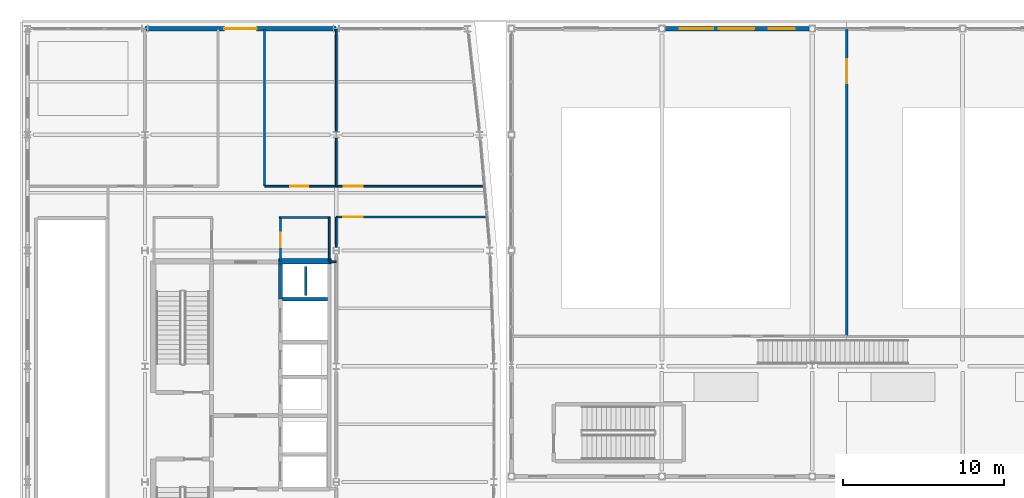
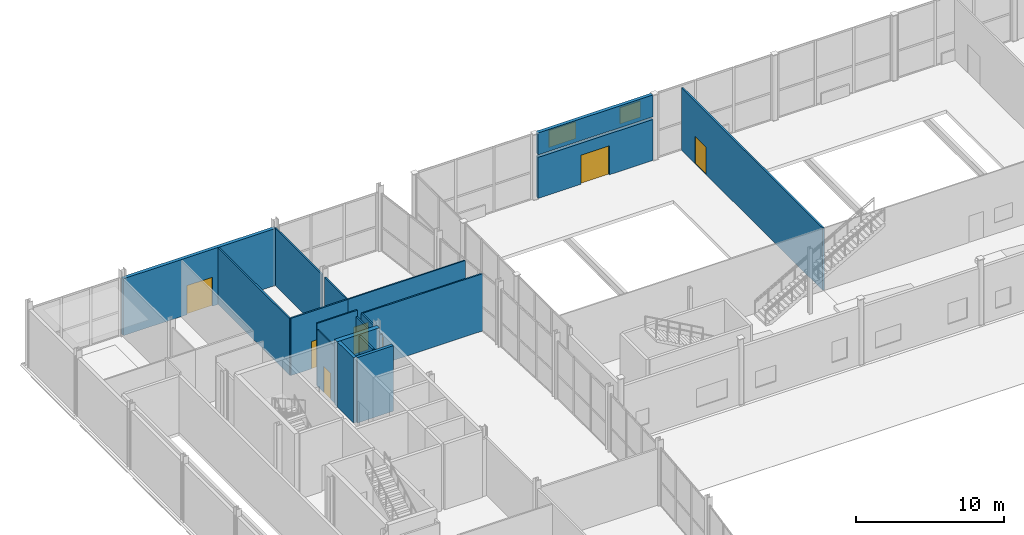
# One storey, part 68 of 83: 19 walls, 7 doors, 2 windows, 9 openings.
"""IFC4 building model written with IfcOpenShell, lengths in metres."""

from ifc_helpers import new_model, si_unit, direction, frame, frame_2d, origin, place, context, subcontext, project, spatial, rectangle, extrude, material, layer, layer_set, type_object, element, fill, save


model = new_model("IFC4")

# Units and contexts
model_context = context("Model", 3, precision=1e-05, world=origin(), true_north=direction((0.0, 1.0)))
body_context = subcontext(model_context, "Body", "Model", "MODEL_VIEW")
ifc_project = project(units=[si_unit("LENGTHUNIT", "METRE"), si_unit("AREAUNIT", "SQUARE_METRE"), si_unit("VOLUMEUNIT", "CUBIC_METRE"), si_unit("PLANEANGLEUNIT", "RADIAN"), si_unit("MASSUNIT", "GRAM", prefix="KILO")], contexts=[model_context])

# Site, building, storey
site_placement = place(None, origin())
site = spatial("IfcSite", under=ifc_project, at=site_placement, CompositionType="ELEMENT")
building_placement = place(site_placement, origin())
building = spatial("IfcBuilding", under=site, at=building_placement, Name="Quillay Park Conservatory", CompositionType="ELEMENT")
storey_placement = place(building_placement, origin())
storey = spatial("IfcBuildingStorey", under=building, at=storey_placement, Name="L00", CompositionType="ELEMENT", Elevation=0.0)

# Wall
ifc_material_1 = material(Name="Steel-Stud Acoustic Gypsum Board Partition", Category="steel")
ifc_layer_1 = layer(ifc_material_1, 0.10009765625)
ifc_layer_set_1 = layer_set([ifc_layer_1], Name="ACOUSTIC GYPSUM PARTITION 100 (Steel-Stud Acoustic Gypsum Board Partition)")
wall_type_1 = type_object("IfcWallType", Name="ACOUSTIC GYPSUM PARTITION 100", PredefinedType="PARTITIONING", material=ifc_layer_set_1)
wall_1_placement = place(storey_placement, frame((19.75, 98.89990234375, 0.0), z_axis=(0.0, 0.0, 1.0), x_axis=(-1.0, 0.0, 0.0)))
element("IfcWall", 1, at=wall_1_placement, inside=storey, type_object=wall_type_1, Name="L00 Core North-East Closure", PredefinedType="PARTITIONING", context=body_context, shape_type="SweptSolid", body=[
    extrude(rectangle(XDim=0.429931640625, YDim=0.10009765625, at=frame_2d((0.21484375, 0.0))), origin(), (0.0, 0.0, 1.0), 4.72705078125),
])

# Wall, opening, door
ifc_material_2 = material(Name="Steel-Stud Acoustic Gypsum Board Partition", Category="steel")
ifc_layer_2 = layer(ifc_material_2, 0.10498046875)
ifc_layer_set_2 = layer_set([ifc_layer_2], Name="ACOUSTIC GYPSUM PARTITION 105 (Steel-Stud Acoustic Gypsum Board Partition)")
wall_type_2 = type_object("IfcWallType", Name="ACOUSTIC GYPSUM PARTITION 105", PredefinedType="PARTITIONING", material=ifc_layer_set_2)
wall_2_placement = place(storey_placement, frame((16.280029296875, 98.919921875, 0.0), z_axis=(0.0, 0.0, 1.0), x_axis=(0.0, 1.0, 0.0)))
wall_2 = element("IfcWall", 2, at=wall_2_placement, inside=storey, type_object=wall_type_2, Name="L00 Washroom Door Wall", PredefinedType="PARTITIONING", context=body_context, shape_type="SweptSolid", body=[
    extrude(rectangle(XDim=2.68017578125, YDim=0.10498046875, at=frame_2d((1.340087890625, 0.0))), origin(), (0.0, 0.0, 1.0), 4.65087890625),
])
opening_1_placement = place(wall_2_placement, frame((0.8798828125, 0.0, 0.0)))
opening_1 = element("IfcOpeningElement", 3, at=opening_1_placement, cuts=wall_2, Name="Opening D-RM07", PredefinedType="OPENING", context=body_context, shape_type="SweptSolid", body=[
    extrude(rectangle(XDim=0.919921875, YDim=2.14990234375, at=frame_2d((0.4599609375, 1.074951171875))), frame((0.0, 0.052490234375, 0.0), z_axis=(0.0, -1.0, 0.0), x_axis=(1.0, 0.0, 0.0)), (0.0, 0.0, 1.0), 0.10498046875),
])
ifc_material_3 = material(Name="Thermally Broken Anodised Aluminium 6063-T6", Category="aluminium")
door_type_1 = type_object("IfcDoorType", Name="SINGLE SWING DOOR 920 X2150", OperationType="NOTDEFINED", PredefinedType="DOOR", material=ifc_material_3)
door_1_placement = place(opening_1_placement, origin())
door_1 = element("IfcDoor", 4, at=door_1_placement, inside=storey, type_object=door_type_1, Name="L00 Door to L00 Restroom and Washroom", OperationType="SINGLE_SWING_RIGHT", OverallHeight=2.14990234375, OverallWidth=0.919921875, PredefinedType="DOOR", context=body_context, shape_type="SweptSolid", body=[
    extrude(rectangle(XDim=0.919921875, YDim=2.14990234375, at=frame_2d((0.4599609375, 1.074951171875))), frame((0.0, 0.02490234375, 0.0), z_axis=(0.0, -1.0, 0.0), x_axis=(1.0, 0.0, 0.0)), (0.0, 0.0, 1.0), 0.050048828125),
])
fill(opening_1, door_1)

wall_3_placement = place(storey_placement, frame((28.9150390625, 103.60009765625, 0.0), z_axis=(0.0, 0.0, 1.0), x_axis=(-1.0, 0.0, 0.0)))
wall_3 = element("IfcWall", 5, at=wall_3_placement, inside=storey, type_object=wall_type_2, Name="L00 Intake Lab South Wall", PredefinedType="PARTITIONING", context=body_context, shape_type="SweptSolid", body=[
    extrude(rectangle(XDim=9.1650390625, YDim=0.10498046875, at=frame_2d((4.58251953125, 0.0))), origin(), (0.0, 0.0, 1.0), 4.72705078125),
])
opening_2_placement = place(wall_3_placement, frame((7.52490234375, 0.0, 0.0)))
opening_2 = element("IfcOpeningElement", 6, at=opening_2_placement, cuts=wall_3, Name="Opening D-RM22", PredefinedType="OPENING", context=body_context, shape_type="SweptSolid", body=[
    extrude(rectangle(XDim=1.179931640625, YDim=2.25, at=frame_2d((0.58984375, 1.125))), frame((0.0, 0.052490234375, 0.0), z_axis=(0.0, -1.0, 0.0), x_axis=(1.0, 0.0, 0.0)), (0.0, 0.0, 1.0), 0.10498046875),
])
ifc_material_4 = material(Name="Thermally Broken Anodised Aluminium 6063-T6", Category="aluminium")
door_type_2 = type_object("IfcDoorType", Name="SINGLE SWING DOOR 1180 X2250", OperationType="NOTDEFINED", PredefinedType="DOOR", material=ifc_material_4)
door_2_placement = place(opening_2_placement, origin())
door_2 = element("IfcDoor", 7, at=door_2_placement, inside=storey, type_object=door_type_2, Name="L00 Door to Field Flora Intake Research Laboratory", OperationType="SINGLE_SWING_RIGHT", OverallHeight=2.25, OverallWidth=1.179931640625, PredefinedType="DOOR", context=body_context, shape_type="SweptSolid", body=[
    extrude(rectangle(XDim=1.179931640625, YDim=2.25, at=frame_2d((0.58984375, 1.125))), frame((0.0, 0.02490234375, 0.0), z_axis=(0.0, -1.0, 0.0), x_axis=(1.0, 0.0, 0.0)), (0.0, 0.0, 1.0), 0.050048828125),
])
fill(opening_2, door_2)

# Wall
ifc_material_5 = material(Name="Steel-Stud Acoustic Gypsum Board Partition", Category="steel")
ifc_layer_3 = layer(ifc_material_5, 0.110107421875)
ifc_layer_set_3 = layer_set([ifc_layer_3], Name="ACOUSTIC GYPSUM PARTITION 110 (Steel-Stud Acoustic Gypsum Board Partition)")
wall_type_3 = type_object("IfcWallType", Name="ACOUSTIC GYPSUM PARTITION 110", PredefinedType="PARTITIONING", material=ifc_layer_set_3)
wall_4_placement = place(storey_placement, frame((19.3798828125, 101.659912109375, 0.0), z_axis=(0.0, 0.0, 1.0), x_axis=(-1.0, 0.0, 0.0)))
element("IfcWall", 8, at=wall_4_placement, inside=storey, type_object=wall_type_3, Name="L00 Washroom North Wall", PredefinedType="PARTITIONING", context=body_context, shape_type="SweptSolid", body=[
    extrude(rectangle(XDim=3.159912109375, YDim=0.110107421875, at=frame_2d((1.580078125, 0.0))), origin(), (0.0, 0.0, 1.0), 5.14990234375),
])

# Wall, opening, door
wall_5_placement = place(storey_placement, frame((29.1650390625, 101.679931640625, 0.0), z_axis=(0.0, 0.0, 1.0), x_axis=(-1.0, 0.0, 0.0)))
wall_5 = element("IfcWall", 9, at=wall_5_placement, inside=storey, type_object=wall_type_3, Name="L00 East Lab North Door Wall", PredefinedType="PARTITIONING", context=body_context, shape_type="SweptSolid", body=[
    extrude(rectangle(XDim=9.4150390625, YDim=0.110107421875, at=frame_2d((4.70751953125, 0.0))), origin(), (0.0, 0.0, 1.0), 4.72705078125),
])
opening_3_placement = place(wall_5_placement, frame((7.7548828125, 0.0, 0.0)))
opening_3 = element("IfcOpeningElement", 10, at=opening_3_placement, cuts=wall_5, Name="Opening D-RM18", PredefinedType="OPENING", context=body_context, shape_type="SweptSolid", body=[
    extrude(rectangle(XDim=1.219970703125, YDim=2.199951171875, at=frame_2d((0.60986328125, 1.10009765625))), frame((0.0, 0.05517578125, 0.0), z_axis=(0.0, -1.0, 0.0), x_axis=(1.0, 0.0, 0.0)), (0.0, 0.0, 1.0), 0.110107421875),
])
ifc_material_6 = material(Name="Thermally Broken Anodised Aluminium 6063-T6", Category="aluminium")
door_type_3 = type_object("IfcDoorType", Name="SINGLE SWING DOOR 1220 X2200", OperationType="NOTDEFINED", PredefinedType="DOOR", material=ifc_material_6)
door_3_placement = place(opening_3_placement, origin())
door_3 = element("IfcDoor", 11, at=door_3_placement, inside=storey, type_object=door_type_3, Name="L00 Door to Seed Cleaning and Quarantine Laboratory", OperationType="SINGLE_SWING_RIGHT", OverallHeight=2.199951171875, OverallWidth=1.219970703125, PredefinedType="DOOR", context=body_context, shape_type="SweptSolid", body=[
    extrude(rectangle(XDim=1.219970703125, YDim=2.199951171875, at=frame_2d((0.60986328125, 1.10009765625))), frame((0.0, 0.02490234375, 0.0), z_axis=(0.0, -1.0, 0.0), x_axis=(1.0, 0.0, 0.0)), (0.0, 0.0, 1.0), 0.050048828125),
])
fill(opening_3, door_3)

# Walls
wall_6_placement = place(storey_placement, frame((19.75, 113.35009765625, 0.0), z_axis=(0.0, 0.0, 1.0), x_axis=(0.0, -1.0, 0.0)))
element("IfcWall", 12, at=wall_6_placement, inside=storey, type_object=wall_type_3, Name="L00 Intake Lab West Wall N", PredefinedType="PARTITIONING", context=body_context, shape_type="SweptSolid", body=[
    extrude(rectangle(XDim=6.358642578125, YDim=0.110107421875, at=frame_2d((3.17919921875, 0.0))), origin(), (0.0, 0.0, 1.0), 4.72705078125),
])
ifc_material_7 = material(Name="Steel-Stud Acoustic Gypsum Board Partition", Category="steel")
ifc_layer_4 = layer(ifc_material_7, 0.114990234375)
ifc_layer_set_4 = layer_set([ifc_layer_4], Name="ACOUSTIC GYPSUM PARTITION 115 (Steel-Stud Acoustic Gypsum Board Partition)")
wall_type_4 = type_object("IfcWallType", Name="ACOUSTIC GYPSUM PARTITION 115", PredefinedType="PARTITIONING", material=ifc_layer_set_4)
wall_7_placement = place(storey_placement, frame((19.320068359375, 98.919921875, 0.0), z_axis=(0.0, 0.0, 1.0), x_axis=(0.0, 1.0, 0.0)))
element("IfcWall", 13, at=wall_7_placement, inside=storey, type_object=wall_type_4, Name="L00 Washroom East Wall", PredefinedType="PARTITIONING", context=body_context, shape_type="SweptSolid", body=[
    extrude(rectangle(XDim=2.739990234375, YDim=0.114990234375, at=frame_2d((1.3701171875, 0.0))), origin(), (0.0, 0.0, 1.0), 4.65087890625),
])
wall_8_placement = place(storey_placement, frame((19.75, 101.679931640625, 0.0), z_axis=(0.0, 0.0, 1.0), x_axis=(0.0, -1.0, 0.0)))
element("IfcWall", 14, at=wall_8_placement, inside=storey, type_object=wall_type_4, Name="L00 East Lab West Wall N", PredefinedType="PARTITIONING", context=body_context, shape_type="SweptSolid", body=[
    extrude(rectangle(XDim=1.885498046875, YDim=0.114990234375, at=frame_2d((0.94287109375, 0.0))), origin(), (0.0, 0.0, 1.0), 4.72705078125),
])
wall_9_placement = place(storey_placement, frame((19.75, 106.6083984375, 0.0), z_axis=(0.0, 0.0, 1.0), x_axis=(0.0, -1.0, 0.0)))
element("IfcWall", 15, at=wall_9_placement, inside=storey, type_object=wall_type_4, Name="L00 Intake Lab West Wall S", PredefinedType="PARTITIONING", context=body_context, shape_type="SweptSolid", body=[
    extrude(rectangle(XDim=3.00830078125, YDim=0.114990234375, at=frame_2d((1.504150390625, 0.0))), origin(), (0.0, 0.0, 1.0), 4.72705078125),
])

# Wall, opening, door
ifc_material_8 = material(Name="Steel-Stud Acoustic Gypsum Board Partition", Category="steel")
ifc_layer_5 = layer(ifc_material_8, 0.1201171875)
ifc_layer_set_5 = layer_set([ifc_layer_5], Name="ACOUSTIC GYPSUM PARTITION 120 (Steel-Stud Acoustic Gypsum Board Partition)")
wall_type_5 = type_object("IfcWallType", Name="ACOUSTIC GYPSUM PARTITION 120", PredefinedType="PARTITIONING", material=ifc_layer_set_5)
wall_10_placement = place(storey_placement, frame((19.75, 103.60009765625, 0.0), z_axis=(0.0, 0.0, 1.0), x_axis=(-1.0, 0.0, 0.0)))
wall_10 = element("IfcWall", 16, at=wall_10_placement, inside=storey, type_object=wall_type_5, Name="L00 Sample Triage South Wall", PredefinedType="PARTITIONING", context=body_context, shape_type="SweptSolid", body=[
    extrude(rectangle(XDim=4.449951171875, YDim=0.1201171875, at=frame_2d((2.22509765625, 0.0))), origin(), (0.0, 0.0, 1.0), 4.72705078125),
])
opening_4_placement = place(wall_10_placement, frame((1.739990234375, 0.0, 0.0)))
opening_4 = element("IfcOpeningElement", 17, at=opening_4_placement, cuts=wall_10, Name="Opening D-RM21", PredefinedType="OPENING", context=body_context, shape_type="SweptSolid", body=[
    extrude(rectangle(XDim=1.1201171875, YDim=2.25, at=frame_2d((0.56005859375, 1.125))), frame((0.0, 0.06005859375, 0.0), z_axis=(0.0, -1.0, 0.0), x_axis=(1.0, 0.0, 0.0)), (0.0, 0.0, 1.0), 0.1201171875),
])
ifc_material_9 = material(Name="Thermally Broken Anodised Aluminium 6063-T6", Category="aluminium")
door_type_4 = type_object("IfcDoorType", Name="SINGLE SWING DOOR 1120 X2250", OperationType="NOTDEFINED", PredefinedType="DOOR", material=ifc_material_9)
door_4_placement = place(opening_4_placement, origin())
door_4 = element("IfcDoor", 18, at=door_4_placement, inside=storey, type_object=door_type_4, Name="L00 Door to L00 Quarantine Sample Triage Room", OperationType="SINGLE_SWING_LEFT", OverallHeight=2.25, OverallWidth=1.1201171875, PredefinedType="DOOR", context=body_context, shape_type="SweptSolid", body=[
    extrude(rectangle(XDim=1.1201171875, YDim=2.25, at=frame_2d((0.56005859375, 1.125))), frame((0.0, 0.02490234375, 0.0), z_axis=(0.0, -1.0, 0.0), x_axis=(1.0, 0.0, 0.0)), (0.0, 0.0, 1.0), 0.050048828125),
])
fill(opening_4, door_4)

# Wall
ifc_material_10 = material(Name="Steel-Stud Acoustic Gypsum Board Partition", Category="steel")
ifc_layer_6 = layer(ifc_material_10, 0.125)
ifc_layer_set_6 = layer_set([ifc_layer_6], Name="ACOUSTIC GYPSUM PARTITION 125 (Steel-Stud Acoustic Gypsum Board Partition)")
wall_type_6 = type_object("IfcWallType", Name="ACOUSTIC GYPSUM PARTITION 125", PredefinedType="PARTITIONING", material=ifc_layer_set_6)
wall_11_placement = place(storey_placement, frame((15.300048828125, 103.60009765625, 0.0), z_axis=(0.0, 0.0, 1.0), x_axis=(0.0, 1.0, 0.0)))
element("IfcWall", 19, at=wall_11_placement, inside=storey, type_object=wall_type_6, Name="L00 North Exit Passage East Wall", PredefinedType="PARTITIONING", context=body_context, shape_type="SweptSolid", body=[
    extrude(rectangle(XDim=9.75, YDim=0.125, at=frame_2d((4.875, 0.0))), origin(), (0.0, 0.0, 1.0), 4.65087890625),
])

# Wall, opening, door
ifc_material_11 = material(Name="Steel-Stud Acoustic Gypsum Board Partition", Category="steel")
ifc_layer_7 = layer(ifc_material_11, 0.139892578125)
ifc_layer_set_7 = layer_set([ifc_layer_7], Name="ACOUSTIC GYPSUM PARTITION 140 (Steel-Stud Acoustic Gypsum Board Partition)")
wall_type_7 = type_object("IfcWallType", Name="ACOUSTIC GYPSUM PARTITION 140", PredefinedType="PARTITIONING", material=ifc_layer_set_7)
wall_12_placement = place(storey_placement, frame((51.5, 113.35009765625, 0.0), z_axis=(0.0, 0.0, 1.0), x_axis=(0.0, -1.0, 0.0)))
wall_12 = element("IfcWall", 20, at=wall_12_placement, inside=storey, type_object=wall_type_7, Name="L00 Conservatory Biome 1-2 Divider", PredefinedType="PARTITIONING", context=body_context, shape_type="SweptSolid", body=[
    extrude(rectangle(XDim=19.090087890625, YDim=0.139892578125, at=frame_2d((9.544921875, 0.0))), origin(), (0.0, 0.0, 1.0), 5.14990234375),
])
opening_5_placement = place(wall_12_placement, frame((1.85009765625, 0.0, 0.0)))
opening_5 = element("IfcOpeningElement", 21, at=opening_5_placement, cuts=wall_12, Name="Opening D-RM37", PredefinedType="OPENING", context=body_context, shape_type="SweptSolid", body=[
    extrude(rectangle(XDim=1.47998046875, YDim=2.280029296875, at=frame_2d((0.739990234375, 1.14013671875))), frame((0.0, 0.06982421875, 0.0), z_axis=(0.0, -1.0, 0.0), x_axis=(1.0, 0.0, 0.0)), (0.0, 0.0, 1.0), 0.139892578125),
])
ifc_material_12 = material(Name="Thermally Broken Anodised Aluminium 6063-T6", Category="aluminium")
door_type_5 = type_object("IfcDoorType", Name="SINGLE SWING DOOR 1480 X2280", OperationType="NOTDEFINED", PredefinedType="DOOR", material=ifc_material_12)
door_5_placement = place(opening_5_placement, origin())
door_5 = element("IfcDoor", 22, at=door_5_placement, inside=storey, type_object=door_type_5, Name="L00 Door to Conservatory Biome 1-2 Causeway", OperationType="SINGLE_SWING_LEFT", OverallHeight=2.280029296875, OverallWidth=1.47998046875, PredefinedType="DOOR", context=body_context, shape_type="SweptSolid", body=[
    extrude(rectangle(XDim=1.47998046875, YDim=2.280029296875, at=frame_2d((0.739990234375, 1.14013671875))), frame((0.0, 0.02490234375, 0.0), z_axis=(0.0, -1.0, 0.0), x_axis=(1.0, 0.0, 0.0)), (0.0, 0.0, 1.0), 0.050048828125),
])
fill(opening_5, door_5)

# Walls
ifc_material_13 = material(Name="Concrete C35/45 (NCh170 Concrete C35/45)", Category="concrete")
ifc_layer_8 = layer(ifc_material_13, 0.22509765625)
ifc_layer_set_8 = layer_set([ifc_layer_8], Name="CORE SHEAR WALL 225 (Concrete C35/45 (NCh170 Concrete C35/45))")
wall_type_8 = type_object("IfcWallType", Name="CORE SHEAR WALL 225", PredefinedType="SHEAR", material=ifc_layer_set_8)
wall_13_placement = place(storey_placement, frame((16.39990234375, 96.574951171875, 0.0), z_axis=(0.0, 0.0, 1.0), x_axis=(1.0, 0.0, 0.0)))
element("IfcWall", 23, at=wall_13_placement, inside=storey, type_object=wall_type_8, Name="L00 Core Shear Wall WL-LFDIV-L00-965", PredefinedType="SHEAR", context=body_context, shape_type="SweptSolid", body=[
    extrude(rectangle(XDim=2.800048828125, YDim=0.22509765625, at=frame_2d((1.39990234375, 0.0))), origin(), (0.0, 0.0, 1.0), 5.39990234375),
])
ifc_material_14 = material(Name="Concrete C40/50 (NCh170 Concrete C40/50)", Category="concrete")
ifc_layer_9 = layer(ifc_material_14, 0.25)
ifc_layer_set_9 = layer_set([ifc_layer_9], Name="CORE SHEAR WALL 250 (Concrete C40/50 (NCh170 Concrete C40/50))")
wall_type_9 = type_object("IfcWallType", Name="CORE SHEAR WALL 250", PredefinedType="SHEAR", material=ifc_layer_set_9)
wall_14_placement = place(storey_placement, frame((16.27490234375, 96.574951171875, 0.0), z_axis=(0.0, 0.0, 1.0), x_axis=(0.0, 1.0, 0.0)))
element("IfcWall", 24, at=wall_14_placement, inside=storey, type_object=wall_type_9, Name="L00 Core Shear Wall WL-MEPR-L00", PredefinedType="SHEAR", context=body_context, shape_type="SweptSolid", body=[
    extrude(rectangle(XDim=2.175048828125, YDim=0.25, at=frame_2d((1.08740234375, 0.0))), origin(), (0.0, 0.0, 1.0), 5.39990234375),
])
ifc_material_15 = material(Name="Concrete C40/50 (NCh170 Concrete C40/50)", Category="concrete")
ifc_layer_10 = layer(ifc_material_15, 0.35009765625)
ifc_layer_set_10 = layer_set([ifc_layer_10], Name="CORE SHEAR WALL 350 (Concrete C40/50 (NCh170 Concrete C40/50))")
wall_type_10 = type_object("IfcWallType", Name="CORE SHEAR WALL 350", PredefinedType="SHEAR", material=ifc_layer_set_10)
wall_15_placement = place(storey_placement, frame((16.14990234375, 98.925048828125, 0.0), z_axis=(0.0, 0.0, 1.0), x_axis=(1.0, 0.0, 0.0)))
element("IfcWall", 25, at=wall_15_placement, inside=storey, type_object=wall_type_10, Name="L00 Core Shear Wall WL-TCN-E-L00", PredefinedType="SHEAR", context=body_context, shape_type="SweptSolid", body=[
    extrude(rectangle(XDim=3.300048828125, YDim=0.35009765625, at=frame_2d((1.64990234375, 0.0))), origin(), (0.0, 0.0, 1.0), 5.39990234375),
])

# Wall, opening, door
ifc_material_16 = material(Name="Glass-Fibre Reinforced Concrete (GRC) Cladding", Category="concrete")
ifc_layer_11 = layer(ifc_material_16, 0.260009765625)
ifc_layer_set_11 = layer_set([ifc_layer_11], Name="EXTERIOR SOLID WALL 260 (Glass-Fibre Reinforced Concrete (GRC) Cladding)")
wall_type_11 = type_object("IfcWallType", Name="EXTERIOR SOLID WALL 260", PredefinedType="SOLIDWALL", material=ifc_layer_set_11)
wall_16_placement = place(storey_placement, frame((7.85009765625, 113.39990234375, 0.0), z_axis=(0.0, 0.0, 1.0), x_axis=(1.0, 0.0, 0.0)))
wall_16 = element("IfcWall", 26, at=wall_16_placement, inside=storey, type_object=wall_type_11, Name="L00 External Wall WL-EXT-V4N-L00", PredefinedType="SOLIDWALL", context=body_context, shape_type="SweptSolid", body=[
    extrude(rectangle(XDim=11.89990234375, YDim=0.260009765625, at=frame_2d((5.949951171875, 0.0))), origin(), (0.0, 0.0, 1.0), 4.699951171875),
])
opening_6_placement = place(wall_16_placement, frame((4.949951171875, 0.0, 0.0)))
opening_6 = element("IfcOpeningElement", 27, at=opening_6_placement, cuts=wall_16, Name="Opening D-EX06", PredefinedType="OPENING", context=body_context, shape_type="SweptSolid", body=[
    extrude(rectangle(XDim=2.0, YDim=2.39990234375, at=frame_2d((1.0, 1.199951171875))), frame((0.0, 0.1298828125, 0.0), z_axis=(0.0, -1.0, 0.0), x_axis=(1.0, 0.0, 0.0)), (0.0, 0.0, 1.0), 0.260009765625),
])
ifc_material_17 = material(Name="Thermally Broken Anodised Aluminium 6063-T6", Category="aluminium")
door_type_6 = type_object("IfcDoorType", Name="PEDESTRIAN EXIT DOOR 2000 X2400", OperationType="NOTDEFINED", PredefinedType="DOOR", material=ifc_material_17)
door_6_placement = place(opening_6_placement, origin())
door_6 = element("IfcDoor", 28, at=door_6_placement, inside=storey, type_object=door_type_6, Name="North Park Tower Pedestrian Exit D-EX06", OperationType="DOUBLE_DOOR_SINGLE_SWING", OverallHeight=2.39990234375, OverallWidth=2.0, PredefinedType="DOOR", context=body_context, shape_type="SweptSolid", body=[
    extrude(rectangle(XDim=2.0, YDim=2.39990234375, at=frame_2d((1.0, 1.199951171875))), frame((0.0, 0.02490234375, 0.0), z_axis=(0.0, -1.0, 0.0), x_axis=(1.0, 0.0, 0.0)), (0.0, 0.0, 1.0), 0.050048828125),
])
fill(opening_6, door_6)

wall_17_placement = place(storey_placement, frame((40.206787109375, 113.39990234375, 0.0), z_axis=(0.0, 0.0, 1.0), x_axis=(1.0, 0.0, 0.0)))
wall_17 = element("IfcWall", 29, at=wall_17_placement, inside=storey, type_object=wall_type_11, Name="L00 External Wall WL-EXT-V1N-B1", PredefinedType="SOLIDWALL", context=body_context, shape_type="SweptSolid", body=[
    extrude(rectangle(XDim=8.953125, YDim=0.260009765625, at=frame_2d((4.4765625, 0.0))), origin(), (0.0, 0.0, 1.0), 3.383056640625),
])
opening_7_placement = place(wall_17_placement, frame((3.348876953125, 0.0, 0.0)))
opening_7 = element("IfcOpeningElement", 30, at=opening_7_placement, cuts=wall_17, Name="Opening D-EX07", PredefinedType="OPENING", context=body_context, shape_type="SweptSolid", body=[
    extrude(rectangle(XDim=2.199951171875, YDim=2.39990234375, at=frame_2d((1.10009765625, 1.199951171875))), frame((0.0, 0.1298828125, 0.0), z_axis=(0.0, -1.0, 0.0), x_axis=(1.0, 0.0, 0.0)), (0.0, 0.0, 1.0), 0.260009765625),
])
ifc_material_18 = material(Name="Thermally Broken Anodised Aluminium 6063-T6", Category="aluminium")
door_type_7 = type_object("IfcDoorType", Name="PEDESTRIAN EXIT DOOR 2200 X2400", OperationType="NOTDEFINED", PredefinedType="DOOR", material=ifc_material_18)
door_7_placement = place(opening_7_placement, origin())
door_7 = element("IfcDoor", 31, at=door_7_placement, inside=storey, type_object=door_type_7, Name="Conservatory Park Entrance D-EX07", OperationType="DOUBLE_DOOR_SINGLE_SWING", OverallHeight=2.39990234375, OverallWidth=2.199951171875, PredefinedType="DOOR", context=body_context, shape_type="SweptSolid", body=[
    extrude(rectangle(XDim=2.199951171875, YDim=2.39990234375, at=frame_2d((1.10009765625, 1.199951171875))), frame((0.0, 0.02490234375, 0.0), z_axis=(0.0, -1.0, 0.0), x_axis=(1.0, 0.0, 0.0)), (0.0, 0.0, 1.0), 0.050048828125),
])
fill(opening_7, door_7)

# Wall, openings, windows
wall_18_placement = place(storey_placement, frame((49.159912109375, 113.39990234375, 3.60205078125), z_axis=(0.0, 0.0, 1.0), x_axis=(-1.0, 0.0, 0.0)))
wall_18 = element("IfcWall", 32, at=wall_18_placement, inside=storey, type_object=wall_type_11, Name="L00 External Wall WL-EXT-V1N-B1U", PredefinedType="SOLIDWALL", context=body_context, shape_type="SweptSolid", body=[
    extrude(rectangle(XDim=8.953125, YDim=0.260009765625, at=frame_2d((4.4765625, 0.0))), origin(), (0.0, 0.0, 1.0), 1.7978515625),
])
opening_8_placement = place(wall_18_placement, frame((0.898681640625, 0.0, 0.219970703125)))
opening_8 = element("IfcOpeningElement", 33, at=opening_8_placement, cuts=wall_18, Name="Opening W-19", PredefinedType="OPENING", context=body_context, shape_type="SweptSolid", body=[
    extrude(rectangle(XDim=1.60009765625, YDim=1.35009765625, at=frame_2d((0.800048828125, 0.675048828125))), frame((0.0, 0.1298828125, 0.0), z_axis=(0.0, -1.0, 0.0), x_axis=(1.0, 0.0, 0.0)), (0.0, 0.0, 1.0), 0.260009765625),
])
opening_9_placement = place(wall_18_placement, frame((5.954345703125, 0.0, 0.219970703125)))
opening_9 = element("IfcOpeningElement", 34, at=opening_9_placement, cuts=wall_18, Name="Opening W-06", PredefinedType="OPENING", context=body_context, shape_type="SweptSolid", body=[
    extrude(rectangle(XDim=2.10009765625, YDim=1.39990234375, at=frame_2d((1.050048828125, 0.699951171875))), frame((0.0, 0.1298828125, 0.0), z_axis=(0.0, -1.0, 0.0), x_axis=(1.0, 0.0, 0.0)), (0.0, 0.0, 1.0), 0.260009765625),
])
ifc_material_19 = material(Name="Low-E Double Glazing (Laminated Tempered)", Category="glass")
window_type_1 = type_object("IfcWindowType", Name="FIXED CASEMENT WINDOW 1600 X1350", PartitioningType="DOUBLE_PANEL_VERTICAL", PredefinedType="WINDOW", material=ifc_material_19)
window_1_placement = place(opening_8_placement, origin())
window_1 = element("IfcWindow", 35, at=window_1_placement, inside=storey, type_object=window_type_1, Name="L00 Exterior Window 0330", OverallHeight=1.35009765625, OverallWidth=1.60009765625, PartitioningType="DOUBLE_PANEL_VERTICAL", PredefinedType="WINDOW", context=body_context, shape_type="SweptSolid", body=[
    extrude(rectangle(XDim=1.60009765625, YDim=1.35009765625, at=frame_2d((0.800048828125, 0.675048828125))), frame((0.0, 0.030029296875, 0.0), z_axis=(0.0, -1.0, 0.0), x_axis=(1.0, 0.0, 0.0)), (0.0, 0.0, 1.0), 0.06005859375),
])
fill(opening_8, window_1)
ifc_material_20 = material(Name="Low-E Double Glazing (Laminated Tempered)", Category="glass")
window_type_2 = type_object("IfcWindowType", Name="FIXED CASEMENT WINDOW 2100 X1400", PartitioningType="DOUBLE_PANEL_VERTICAL", PredefinedType="WINDOW", material=ifc_material_20)
window_2_placement = place(opening_9_placement, origin())
window_2 = element("IfcWindow", 36, at=window_2_placement, inside=storey, type_object=window_type_2, Name="L00 Exterior Window 0331", OverallHeight=1.39990234375, OverallWidth=2.10009765625, PartitioningType="DOUBLE_PANEL_VERTICAL", PredefinedType="WINDOW", context=body_context, shape_type="SweptSolid", body=[
    extrude(rectangle(XDim=2.10009765625, YDim=1.39990234375, at=frame_2d((1.050048828125, 0.699951171875))), frame((0.0, 0.030029296875, 0.0), z_axis=(0.0, -1.0, 0.0), x_axis=(1.0, 0.0, 0.0)), (0.0, 0.0, 1.0), 0.06005859375),
])
fill(opening_9, window_2)

# Wall
ifc_material_21 = material(Name="Steel-Stud Acoustic Gypsum Board Partition", Category="steel")
ifc_layer_12 = layer(ifc_material_21, 0.1650390625)
ifc_layer_set_12 = layer_set([ifc_layer_12], Name="PLUMBING SHAFT WALL 165 (Steel-Stud Acoustic Gypsum Board Partition)")
wall_type_12 = type_object("IfcWallType", Name="PLUMBING SHAFT WALL 165", PredefinedType="PLUMBINGWALL", material=ifc_layer_set_12)
wall_19_placement = place(storey_placement, frame((17.85009765625, 96.800048828125, 0.0), z_axis=(0.0, 0.0, 1.0), x_axis=(0.0, 1.0, 0.0)))
element("IfcWall", 37, at=wall_19_placement, inside=storey, type_object=wall_type_12, Name="L00 Plumbing Riser Wall", PredefinedType="PLUMBINGWALL", context=body_context, shape_type="SweptSolid", body=[
    extrude(rectangle(XDim=1.800048828125, YDim=0.1650390625, at=frame_2d((0.89990234375, 0.0))), origin(), (0.0, 0.0, 1.0), 5.39990234375),
])

save(model, "model.ifc")
